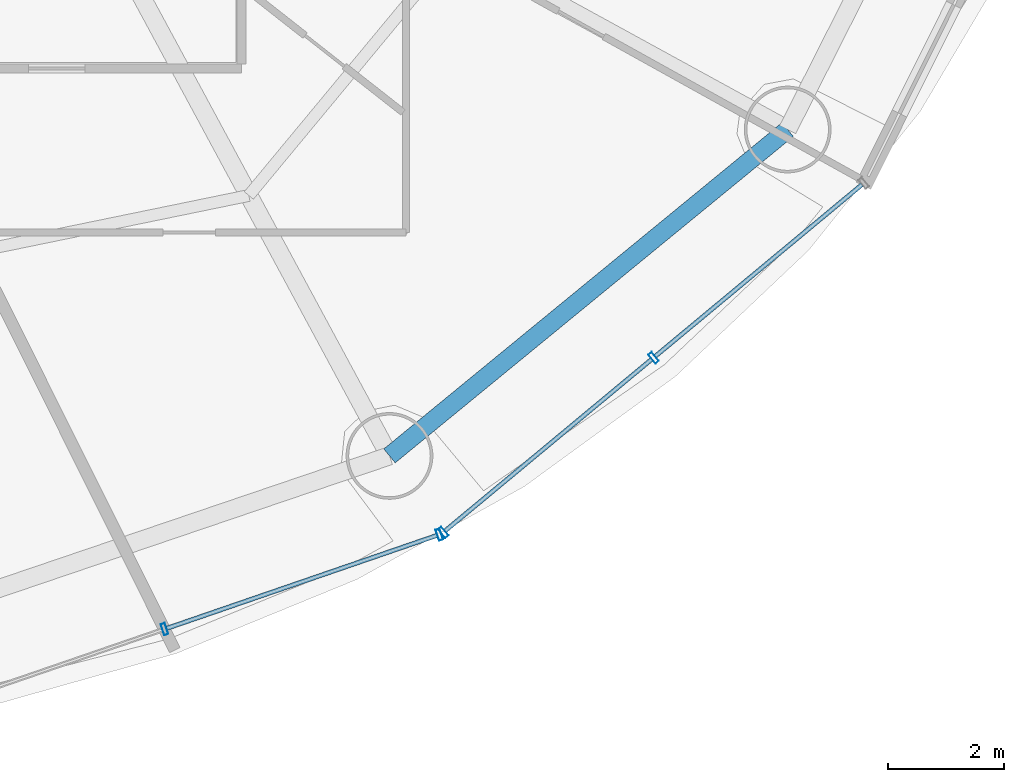
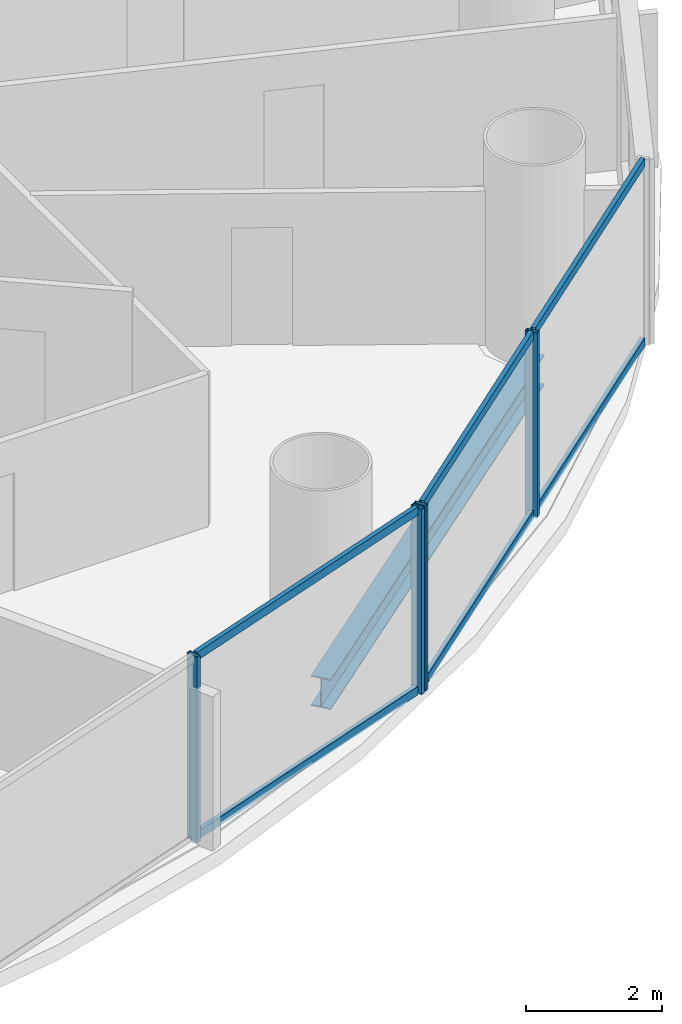
# One storey, part 10 of 28: 10 members, 1 beam, 2 elements without a shape of their own.
"""IFC4 building model written with IfcOpenShell, lengths in metres."""

from ifc_helpers import new_model, si_unit, direction, frame, origin, origin_2d, place, context, subcontext, project, spatial, hollow_rectangle, i_section, extrude, source, transform, mapped, material, material_profile, profile_set, type_object, element, aggregate, save


model = new_model("IFC4")

# Units and contexts
model_context = context("Model", 3, precision=1e-05, world=origin(), true_north=direction((-0.2419218956, 0.970295726276)))
body_context = subcontext(model_context, "Body", "Model", "MODEL_VIEW")
ifc_project = project(units=[si_unit("LENGTHUNIT", "METRE"), si_unit("AREAUNIT", "SQUARE_METRE"), si_unit("VOLUMEUNIT", "CUBIC_METRE"), si_unit("PLANEANGLEUNIT", "RADIAN"), si_unit("MASSUNIT", "GRAM", prefix="KILO")], contexts=[model_context])

# Site, building, storey
site_placement = place(None, origin())
site = spatial("IfcSite", under=ifc_project, at=site_placement, CompositionType="ELEMENT")
building_placement = place(site_placement, origin())
building = spatial("IfcBuilding", under=site, at=building_placement, Name="Cobrevalo Terracotta Tower", CompositionType="ELEMENT")
storey_placement = place(building_placement, frame((0.0, 0.0, 108.60009765625)))
storey = spatial("IfcBuildingStorey", under=building, at=storey_placement, Name="L28", CompositionType="ELEMENT", Elevation=108.60009765625)

# Beam
ifc_material_1 = material(Name="Steel S355", Category="steel")
ifc_material_profile_1 = material_profile(ifc_material_1, i_section(OverallWidth=0.31201171875, OverallDepth=0.54296875, WebThickness=0.0126953125, FlangeThickness=0.020263671875, at=origin_2d()), Name="W 530x150")
ifc_profile_set_1 = profile_set([ifc_material_profile_1], Name="Steel S355")
beam_type = type_object("IfcBeamType", Name="Structural Spandrel W 530x150 (Steel S355)", PredefinedType="SPANDREL", material=ifc_profile_set_1)
beam_placement = place(storey_placement, frame((51.861572265625, 9.79638671875, -0.546630859375), z_axis=(0.773400923541, 0.633917196064, 0.0), x_axis=(-0.633917196064, 0.773400923541, 0.0)))
element("IfcBeam", 1, at=beam_placement, inside=storey, type_object=beam_type, Name="L28 perimeter ring spandrel 14", PredefinedType="SPANDREL", context=body_context, shape_type="SweptSolid", body=[
    extrude(i_section(OverallWidth=0.31201171875, OverallDepth=0.54296875, WebThickness=0.0126953125, FlangeThickness=0.020263671875, at=origin_2d()), origin(), (0.0, 0.0, 1.0), 8.900390625),
])

# Curtain wall, members
ifc_material_2 = material(Name="Anodized aluminium", Category="aluminium")
curtain_wall_type = type_object("IfcCurtainWallType", Name="Lower-tower unitised acoustic low-E curtain wall CW-U1", PredefinedType="NOTDEFINED", material=ifc_material_2)
curtain_wall_1_placement = place(storey_placement, origin())
curtain_wall_1 = element("IfcCurtainWall", 2, at=curtain_wall_1_placement, inside=storey, type_object=curtain_wall_type, Name="L28 curtain wall CW-L28-S13", PredefinedType="NOTDEFINED")
ifc_material_profile_2 = material_profile(ifc_material_2, hollow_rectangle(XDim=0.074951171875, YDim=0.199951171875, WallThickness=0.0048828125, at=origin_2d()), Name="CWM 75x200")
ifc_profile_set_2 = profile_set([ifc_material_profile_2], Name="Anodized aluminium")
member_type_1 = type_object("IfcMemberType", Name="Lower/mid tower unitised mullion 75x200", PredefinedType="MULLION", material=ifc_profile_set_2)
shared_shape_1 = source(origin(), body_context, "Body", "SweptSolid", [
    extrude(hollow_rectangle(XDim=0.074951171875, YDim=0.199951171875, WallThickness=0.0048828125, at=origin_2d()), origin(), (0.0, 0.0, 1.0), 3.324951171875),
])
member_1_placement = place(storey_placement, frame((47.972412109375, 6.8017578125, 0.0), z_axis=(0.0, 0.0, 1.0), x_axis=(0.94559809868, 0.325337110968, 0.0)))
member_1 = element("IfcMember", 3, at=member_1_placement, type_object=member_type_1, Name="CW-L28-S13 vertical mullion 02", PredefinedType="MULLION", context=body_context, shape_type="MappedRepresentation", body=[
    mapped(shared_shape_1, transform((0.0, 0.0, 0.0), scale=1.0)),
])
member_2_placement = place(storey_placement, frame((52.7236328125, 8.4365234375, 0.0), z_axis=(0.0, 0.0, 1.0), x_axis=(0.94559809868, 0.325337110968, 0.0)))
member_2 = element("IfcMember", 4, at=member_2_placement, type_object=member_type_1, Name="CW-L28-S13 vertical mullion 03", PredefinedType="MULLION", context=body_context, shape_type="MappedRepresentation", body=[
    mapped(shared_shape_1, transform((0.0, 0.0, 0.0), scale=1.0)),
])

curtain_wall_2_placement = place(storey_placement, origin())
curtain_wall_2 = element("IfcCurtainWall", 5, at=curtain_wall_2_placement, inside=storey, type_object=curtain_wall_type, Name="L28 curtain wall CW-L28-S14", PredefinedType="NOTDEFINED")
member_3_placement = place(storey_placement, frame((52.792236328125, 8.47509765625, 0.0), z_axis=(0.0, 0.0, 1.0), x_axis=(0.769243451658, 0.638955798222, 0.0)))
member_3 = element("IfcMember", 6, at=member_3_placement, type_object=member_type_1, Name="CW-L28-S14 vertical mullion 01", PredefinedType="MULLION", context=body_context, shape_type="MappedRepresentation", body=[
    mapped(shared_shape_1, transform((0.0, 0.0, 0.0), scale=1.0)),
])
member_4_placement = place(storey_placement, frame((56.4267578125, 11.493896484375, 0.0), z_axis=(0.0, 0.0, 1.0), x_axis=(0.769243451658, 0.638955798222, 0.0)))
member_4 = element("IfcMember", 7, at=member_4_placement, type_object=member_type_1, Name="CW-L28-S14 vertical mullion 02", PredefinedType="MULLION", context=body_context, shape_type="MappedRepresentation", body=[
    mapped(shared_shape_1, transform((0.0, 0.0, 0.0), scale=1.0)),
])

# Member
ifc_material_profile_3 = material_profile(ifc_material_2, hollow_rectangle(XDim=0.074951171875, YDim=0.14990234375, WallThickness=0.00439453125, at=origin_2d()), Name="CWT 75x150")
ifc_profile_set_3 = profile_set([ifc_material_profile_3], Name="Anodized aluminium")
member_type_2 = type_object("IfcMemberType", Name="Tower unitised aluminium transom 75x150", PredefinedType="USERDEFINED", material=ifc_profile_set_3)
shared_shape_2 = source(origin(), body_context, "Body", "SweptSolid", [
    extrude(hollow_rectangle(XDim=0.074951171875, YDim=0.14990234375, WallThickness=0.00439453125, at=origin_2d()), origin(), (0.0, 0.0, 1.0), 4.944580078125),
])
member_5_placement = place(storey_placement, frame((48.01025390625, 6.814697265625, 0.0498046875), z_axis=(0.945597859971, 0.32533780478, 0.0), x_axis=(-0.32533780478, 0.945597859971, 0.0)))
member_5 = element("IfcMember", 8, at=member_5_placement, type_object=member_type_2, Name="CW-L28-S13 transom B02-T1", ObjectType="TRANSOM", PredefinedType="USERDEFINED", context=body_context, shape_type="MappedRepresentation", body=[
    mapped(shared_shape_2, transform((0.0, 0.0, 0.0), scale=1.0)),
])

member_6_placement = place(storey_placement, frame((48.01025390625, 6.814697265625, 3.27490234375), z_axis=(0.945597859971, 0.32533780478, 0.0), x_axis=(-0.32533780478, 0.945597859971, 0.0)))
member_6 = element("IfcMember", 9, at=member_6_placement, type_object=member_type_2, Name="CW-L28-S13 transom B02-T2", ObjectType="TRANSOM", PredefinedType="USERDEFINED", context=body_context, shape_type="MappedRepresentation", body=[
    mapped(shared_shape_2, transform((0.0, 0.0, 0.0), scale=1.0)),
])

aggregate(curtain_wall_1, [member_1, member_2, member_5, member_6])

shared_shape_3 = source(origin(), body_context, "Body", "SweptSolid", [
    extrude(hollow_rectangle(XDim=0.074951171875, YDim=0.14990234375, WallThickness=0.00439453125, at=origin_2d()), origin(), (0.0, 0.0, 1.0), 4.64501953125),
])
member_7_placement = place(storey_placement, frame((52.822998046875, 8.50048828125, 0.0498046875), z_axis=(0.769224156193, 0.638979027457, 0.0), x_axis=(-0.638979027457, 0.769224156193, 0.0)))
member_7 = element("IfcMember", 10, at=member_7_placement, type_object=member_type_2, Name="CW-L28-S14 transom B01-T1", ObjectType="TRANSOM", PredefinedType="USERDEFINED", context=body_context, shape_type="MappedRepresentation", body=[
    mapped(shared_shape_3, transform((0.0, 0.0, 0.0), scale=1.0)),
])

member_8_placement = place(storey_placement, frame((52.822998046875, 8.50048828125, 3.27490234375), z_axis=(0.769224156193, 0.638979027457, 0.0), x_axis=(-0.638979027457, 0.769224156193, 0.0)))
member_8 = element("IfcMember", 11, at=member_8_placement, type_object=member_type_2, Name="CW-L28-S14 transom B01-T2", ObjectType="TRANSOM", PredefinedType="USERDEFINED", context=body_context, shape_type="MappedRepresentation", body=[
    mapped(shared_shape_3, transform((0.0, 0.0, 0.0), scale=1.0)),
])

member_9_placement = place(storey_placement, frame((56.45751953125, 11.51953125, 0.0498046875), z_axis=(0.769224156193, 0.638979027457, 0.0), x_axis=(-0.638979027457, 0.769224156193, 0.0)))
member_9 = element("IfcMember", 12, at=member_9_placement, type_object=member_type_2, Name="CW-L28-S14 transom B02-T1", ObjectType="TRANSOM", PredefinedType="USERDEFINED", context=body_context, shape_type="MappedRepresentation", body=[
    mapped(shared_shape_3, transform((0.0, 0.0, 0.0), scale=1.0)),
])

member_10_placement = place(storey_placement, frame((56.45751953125, 11.51953125, 3.27490234375), z_axis=(0.769224156193, 0.638979027457, 0.0), x_axis=(-0.638979027457, 0.769224156193, 0.0)))
member_10 = element("IfcMember", 13, at=member_10_placement, type_object=member_type_2, Name="CW-L28-S14 transom B02-T2", ObjectType="TRANSOM", PredefinedType="USERDEFINED", context=body_context, shape_type="MappedRepresentation", body=[
    mapped(shared_shape_3, transform((0.0, 0.0, 0.0), scale=1.0)),
])

aggregate(curtain_wall_2, [member_3, member_4, member_7, member_8, member_9, member_10])

save(model, "model.ifc")
